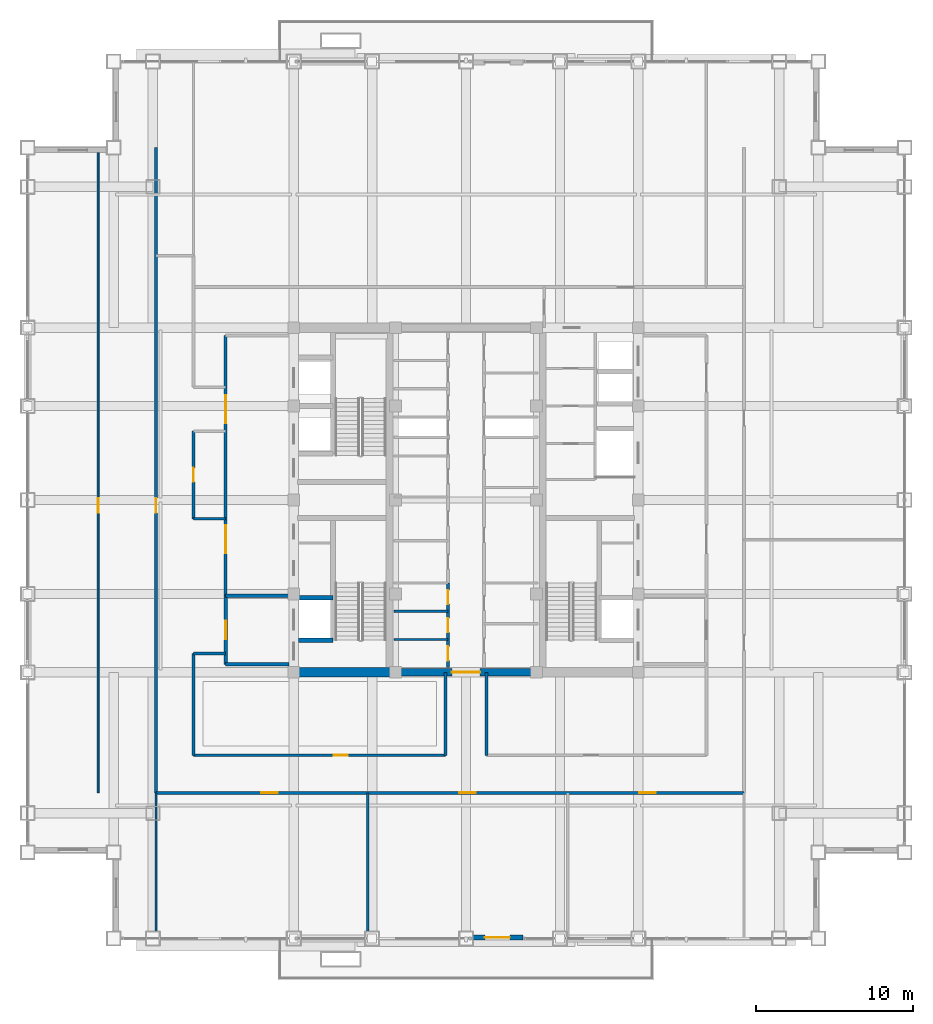
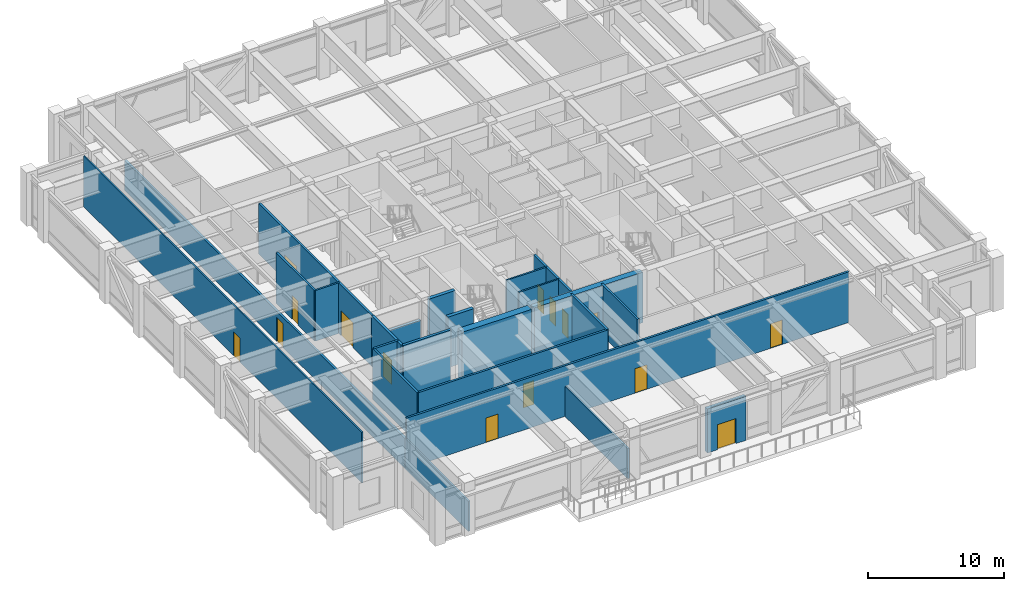
# One storey, part 22 of 31: 24 walls, 15 doors, 15 openings.
"""IFC4 building model written with IfcOpenShell, lengths in metres."""

from ifc_helpers import new_model, si_unit, direction, frame, frame_2d, origin, place, context, subcontext, project, spatial, rectangle, extrude, source, transform, mapped, material, layer, layer_set, type_object, element, fill, save


model = new_model("IFC4")

# Units and contexts
model_context = context("Model", 3, precision=1e-05, world=origin(), true_north=direction((0.0, 1.0)))
body_context = subcontext(model_context, "Body", "Model", "MODEL_VIEW")
ifc_project = project(units=[si_unit("LENGTHUNIT", "METRE"), si_unit("AREAUNIT", "SQUARE_METRE"), si_unit("VOLUMEUNIT", "CUBIC_METRE"), si_unit("PLANEANGLEUNIT", "RADIAN"), si_unit("MASSUNIT", "GRAM", prefix="KILO")], contexts=[model_context])

# Site, building, storey
site_placement = place(None, origin())
site = spatial("IfcSite", under=ifc_project, at=site_placement, CompositionType="ELEMENT")
building_placement = place(site_placement, origin())
building = spatial("IfcBuilding", under=site, at=building_placement, Name="Khorayat Bourse Tower", CompositionType="ELEMENT")
storey_placement = place(building_placement, frame((0.0, 0.0, 321.5)))
storey = spatial("IfcBuildingStorey", under=building, at=storey_placement, Name="L76", CompositionType="ELEMENT", Elevation=321.5)

# Wall
ifc_material_1 = material(Name="Concrete C60/75", Category="concrete")
ifc_layer_1 = layer(ifc_material_1, 0.60009765625)
ifc_layer_set_1 = layer_set([ifc_layer_1], Name="Concrete C60/75")
wall_type_1 = type_object("IfcWallType", Name="WAL-CORE-600", PredefinedType="SHEAR", material=ifc_layer_set_1)
shared_shape_1 = source(origin(), body_context, "Body", "SweptSolid", [
    extrude(rectangle(XDim=5.89990234375, YDim=0.60009765625, at=frame_2d((2.949951171875, 0.0))), origin(), (0.0, 0.0, 1.0), 4.5400390625),
])
wall_1_placement = place(storey_placement, frame((-10.75, -11.0, 0.0), z_axis=(0.0, 0.0, 1.0), x_axis=(1.0, 0.0, 0.0)))
element("IfcWall", 1, at=wall_1_placement, inside=storey, type_object=wall_type_1, Name="L76 Core Shear Wall PIER-WS", PredefinedType="SHEAR", context=body_context, shape_type="MappedRepresentation", body=[
    mapped(shared_shape_1, transform((0.0, 0.0, 0.0), scale=1.0)),
])

# Wall, opening, door
ifc_material_2 = material(Name="Concrete C52/65", Category="concrete")
ifc_layer_2 = layer(ifc_material_2, 0.5)
ifc_layer_set_2 = layer_set([ifc_layer_2], Name="Concrete C52/65")
wall_type_2 = type_object("IfcWallType", Name="WAL-CORE-500", PredefinedType="SHEAR", material=ifc_layer_set_2)
shared_shape_2 = source(origin(), body_context, "Body", "SweptSolid", [
    extrude(rectangle(XDim=9.2001953125, YDim=0.5, at=frame_2d((4.60009765625, 0.0))), origin(), (0.0, 0.0, 1.0), 4.5400390625),
])
wall_2_placement = place(storey_placement, frame((-4.60009765625, -11.0, 0.0), z_axis=(0.0, 0.0, 1.0), x_axis=(1.0, 0.0, 0.0)))
wall_2 = element("IfcWall", 2, at=wall_2_placement, inside=storey, type_object=wall_type_2, Name="L76 Core Shear Wall CORE-S", PredefinedType="SHEAR", context=body_context, shape_type="MappedRepresentation", body=[
    mapped(shared_shape_2, transform((0.0, 0.0, 0.0), scale=1.0)),
])
shared_shape_3 = source(origin(), body_context, "Body", "SweptSolid", [
    extrude(rectangle(XDim=1.800048828125, YDim=2.25, at=frame_2d((0.89990234375, 1.125))), frame((0.0, 0.260009765625, 0.0), z_axis=(0.0, -1.0, 0.0), x_axis=(1.0, 0.0, 0.0)), (0.0, 0.0, 1.0), 0.52001953125),
])
opening_1_placement = place(wall_2_placement, frame((3.699951171875, 0.0, 0.0)))
opening_1 = element("IfcOpeningElement", 3, at=opening_1_placement, cuts=wall_2, Name="Opening DI-03", PredefinedType="OPENING", context=body_context, shape_type="MappedRepresentation", body=[
    mapped(shared_shape_3, transform((0.0, 0.0, 0.0), scale=1.0)),
])
ifc_material_3 = material(Name="Fire-rated hardwood vision-panel double leaf", Category="wood")
door_type_1 = type_object("IfcDoorType", Name="DR-INT-CORR-1800", OperationType="NOTDEFINED", PredefinedType="DOOR", material=ifc_material_3)
shared_shape_4 = source(origin(), body_context, "Body", "SweptSolid", [
    extrude(rectangle(XDim=1.800048828125, YDim=2.25, at=frame_2d((0.89990234375, 1.125))), frame((0.0, 0.02490234375, 0.0), z_axis=(0.0, -1.0, 0.0), x_axis=(1.0, 0.0, 0.0)), (0.0, 0.0, 1.0), 0.050048828125),
])
door_1_placement = place(opening_1_placement, origin())
door_1 = element("IfcDoor", 4, at=door_1_placement, inside=storey, type_object=door_type_1, Name="L76 Central Core South Passage Door", OperationType="SINGLE_SWING_LEFT", OverallHeight=2.25, OverallWidth=1.800048828125, PredefinedType="DOOR", context=body_context, shape_type="MappedRepresentation", body=[
    mapped(shared_shape_4, transform((0.0, 0.0, 0.0), scale=1.0)),
])
fill(opening_1, door_1)

ifc_material_4 = material(Name="Precast concrete C45/55", Category="concrete")
ifc_layer_3 = layer(ifc_material_4, 0.320068359375)
ifc_layer_set_3 = layer_set([ifc_layer_3], Name="Precast concrete C45/55")
wall_type_3 = type_object("IfcWallType", Name="WAL-EXT-STONE-320", PredefinedType="STANDARD", material=ifc_layer_set_3)
shared_shape_5 = source(origin(), body_context, "Body", "SweptSolid", [
    extrude(rectangle(XDim=3.2998046875, YDim=0.320068359375, at=frame_2d((1.64990234375, 0.0))), origin(), (0.0, 0.0, 1.0), 3.950927734375),
])
wall_3_placement = place(storey_placement, frame((0.35009765625, -27.93310546875, 0.0), z_axis=(0.0, 0.0, 1.0), x_axis=(1.0, 0.0, 0.0)))
wall_3 = element("IfcWall", 5, at=wall_3_placement, inside=storey, type_object=wall_type_3, Name="L76 Exterior Limestone Wall WAL-L76-TDPORT-S1", PredefinedType="STANDARD", context=body_context, shape_type="MappedRepresentation", body=[
    mapped(shared_shape_5, transform((0.0, 0.0, 0.0), scale=1.0)),
])
shared_shape_6 = source(origin(), body_context, "Body", "SweptSolid", [
    extrude(rectangle(XDim=1.60009765625, YDim=2.25, at=frame_2d((0.800048828125, 1.125))), frame((0.0, 0.169921875, 0.0), z_axis=(0.0, -1.0, 0.0), x_axis=(1.0, 0.0, 0.0)), (0.0, 0.0, 1.0), 0.340087890625),
])
opening_2_placement = place(wall_3_placement, frame((0.85009765625, 0.0, 0.0)))
opening_2 = element("IfcOpeningElement", 6, at=opening_2_placement, cuts=wall_3, Name="Opening DE-04", PredefinedType="OPENING", context=body_context, shape_type="MappedRepresentation", body=[
    mapped(shared_shape_6, transform((0.0, 0.0, 0.0), scale=1.0)),
])
ifc_material_5 = material(Name="Thermally broken aluminium terrace double door", Category="aluminium")
door_type_2 = type_object("IfcDoorType", Name="DR-EXT-TERR-1600", OperationType="NOTDEFINED", PredefinedType="DOOR", material=ifc_material_5)
shared_shape_7 = source(origin(), body_context, "Body", "SweptSolid", [
    extrude(rectangle(XDim=1.60009765625, YDim=2.25, at=frame_2d((0.800048828125, 1.125))), frame((0.0, 0.02490234375, 0.0), z_axis=(0.0, -1.0, 0.0), x_axis=(1.0, 0.0, 0.0)), (0.0, 0.0, 1.0), 0.050048828125),
])
door_2_placement = place(opening_2_placement, origin())
door_2 = element("IfcDoor", 7, at=door_2_placement, inside=storey, type_object=door_type_2, Name="L76 South Sky Garden Door", OperationType="DOUBLE_DOOR_SINGLE_SWING", OverallHeight=2.25, OverallWidth=1.60009765625, PredefinedType="DOOR", context=body_context, shape_type="MappedRepresentation", body=[
    mapped(shared_shape_7, transform((0.0, 0.0, 0.0), scale=1.0)),
])
fill(opening_2, door_2)

# Walls
ifc_material_6 = material(Name="Concrete C50/60", Category="concrete")
ifc_layer_4 = layer(ifc_material_6, 0.300048828125)
ifc_layer_set_4 = layer_set([ifc_layer_4], Name="Concrete C50/60")
wall_type_4 = type_object("IfcWallType", Name="WAL-SHAFT-300", PredefinedType="SHEAR", material=ifc_layer_set_4)
shared_shape_8 = source(origin(), body_context, "Body", "SweptSolid", [
    extrude(rectangle(XDim=2.199951171875, YDim=0.300048828125, at=frame_2d((1.10009765625, 0.0))), origin(), (0.0, 0.0, 1.0), 4.5400390625),
])
for number, where, z_axis, x_axis, name in (
    (8, (-10.699951171875, -8.949951171875, 0.0), (0.0, 0.0, 1.0), (1.0, 0.0, 0.0), "L76 Partition WAL-L76-WPIER-FF1S"),
    (9, (-10.699951171875, -6.25, 0.0), (0.0, 0.0, 1.0), (1.0, 0.0, 0.0), "L76 Partition WAL-L76-WPIER-FF1N"),
):
    element("IfcWall", number, at=place(storey_placement, frame(where, z_axis=z_axis, x_axis=x_axis)), inside=storey, type_object=wall_type_4, Name=name, PredefinedType="SHEAR", context=body_context, shape_type="MappedRepresentation", body=[
        mapped(shared_shape_8, transform((0.0, 0.0, 0.0), scale=1.0)),
    ])
ifc_material_7 = material(Name="Aerated concrete blockwork", Category="masonry")
ifc_layer_5 = layer(ifc_material_7, 0.219970703125)
ifc_layer_set_5 = layer_set([ifc_layer_5], Name="Aerated concrete blockwork")
wall_type_5 = type_object("IfcWallType", Name="WAL-PART-FF-220", PredefinedType="PARTITIONING", material=ifc_layer_set_5)
shared_shape_9 = source(origin(), body_context, "Body", "SweptSolid", [
    extrude(rectangle(XDim=4.050048828125, YDim=0.219970703125, at=frame_2d((2.02490234375, 0.0))), origin(), (0.0, 0.0, 1.0), 4.5400390625),
])
wall_4_placement = place(storey_placement, frame((-15.35009765625, -10.5, 0.0), z_axis=(0.0, 0.0, 1.0), x_axis=(1.0, 0.0, 0.0)))
element("IfcWall", 10, at=wall_4_placement, inside=storey, type_object=wall_type_5, Name="L76 Partition WAL-L76-FFLW-S", PredefinedType="PARTITIONING", context=body_context, shape_type="MappedRepresentation", body=[
    mapped(shared_shape_9, transform((0.0, 0.0, 0.0), scale=1.0)),
])
shared_shape_10 = source(origin(), body_context, "Body", "SweptSolid", [
    extrude(rectangle(XDim=4.050048828125, YDim=0.219970703125, at=frame_2d((2.02490234375, 0.0))), origin(), (0.0, 0.0, 1.0), 2.739990234375),
])
wall_5_placement = place(storey_placement, frame((-15.35009765625, -6.10009765625, 0.0), z_axis=(0.0, 0.0, 1.0), x_axis=(1.0, 0.0, 0.0)))
element("IfcWall", 11, at=wall_5_placement, inside=storey, type_object=wall_type_5, Name="L76 Partition WAL-L76-FFLW-N", PredefinedType="PARTITIONING", context=body_context, shape_type="MappedRepresentation", body=[
    mapped(shared_shape_10, transform((0.0, 0.0, 0.0), scale=1.0)),
])

# Wall, opening, door
shared_shape_11 = source(origin(), body_context, "Body", "SweptSolid", [
    extrude(rectangle(XDim=4.39990234375, YDim=0.219970703125, at=frame_2d((2.199951171875, 0.0))), origin(), (0.0, 0.0, 1.0), 4.5400390625),
])
wall_6_placement = place(storey_placement, frame((-15.35009765625, -10.5, 0.0), z_axis=(0.0, 0.0, 1.0), x_axis=(0.0, 1.0, 0.0)))
wall_6 = element("IfcWall", 12, at=wall_6_placement, inside=storey, type_object=wall_type_5, Name="L76 Partition WAL-L76-FFLW-W", PredefinedType="PARTITIONING", context=body_context, shape_type="MappedRepresentation", body=[
    mapped(shared_shape_11, transform((0.0, 0.0, 0.0), scale=1.0)),
])
shared_shape_12 = source(origin(), body_context, "Body", "SweptSolid", [
    extrude(rectangle(XDim=1.199951171875, YDim=2.199951171875, at=frame_2d((0.60009765625, 1.10009765625))), frame((0.0, 0.119873046875, 0.0), z_axis=(0.0, -1.0, 0.0), x_axis=(1.0, 0.0, 0.0)), (0.0, 0.0, 1.0), 0.239990234375),
])
opening_3_placement = place(wall_6_placement, frame((1.60009765625, 0.0, 0.0)))
opening_3 = element("IfcOpeningElement", 13, at=opening_3_placement, cuts=wall_6, Name="Opening DI-02", PredefinedType="OPENING", context=body_context, shape_type="MappedRepresentation", body=[
    mapped(shared_shape_12, transform((0.0, 0.0, 0.0), scale=1.0)),
])
ifc_material_8 = material(Name="Fire-rated steel double-seal leaf", Category="steel")
door_type_3 = type_object("IfcDoorType", Name="DR-INT-FFLOBBY-1200", OperationType="NOTDEFINED", PredefinedType="DOOR", material=ifc_material_8)
shared_shape_13 = source(origin(), body_context, "Body", "SweptSolid", [
    extrude(rectangle(XDim=1.199951171875, YDim=2.199951171875, at=frame_2d((0.60009765625, 1.10009765625))), frame((0.0, 0.02490234375, 0.0), z_axis=(0.0, -1.0, 0.0), x_axis=(1.0, 0.0, 0.0)), (0.0, 0.0, 1.0), 0.050048828125),
])
door_3_placement = place(opening_3_placement, origin())
door_3 = element("IfcDoor", 14, at=door_3_placement, inside=storey, type_object=door_type_3, Name="L76 West Firefighting Lobby Door", OperationType="SINGLE_SWING_LEFT", OverallHeight=2.199951171875, OverallWidth=1.199951171875, PredefinedType="DOOR", context=body_context, shape_type="MappedRepresentation", body=[
    mapped(shared_shape_13, transform((0.0, 0.0, 0.0), scale=1.0)),
])
fill(opening_3, door_3)

# Wall, openings, doors
ifc_material_9 = material(Name="Gypsum plasterboard acoustic stud wall")
ifc_layer_6 = layer(ifc_material_9, 0.179931640625)
ifc_layer_set_6 = layer_set([ifc_layer_6], Name="Gypsum plasterboard acoustic stud wall")
wall_type_6 = type_object("IfcWallType", Name="WAL-PART-CORR-180", PredefinedType="PARTITIONING", material=ifc_layer_set_6)
shared_shape_14 = source(origin(), body_context, "Body", "SweptSolid", [
    extrude(rectangle(XDim=16.60009765625, YDim=0.179931640625, at=frame_2d((8.300048828125, 0.0))), origin(), (0.0, 0.0, 1.0), 4.5400390625),
])
wall_7_placement = place(storey_placement, frame((-15.35009765625, -6.10009765625, 0.0), z_axis=(0.0, 0.0, 1.0), x_axis=(0.0, 1.0, 0.0)))
wall_7 = element("IfcWall", 15, at=wall_7_placement, inside=storey, type_object=wall_type_6, Name="L76 Partition WAL-L76-WLOB-W", PredefinedType="PARTITIONING", context=body_context, shape_type="MappedRepresentation", body=[
    mapped(shared_shape_14, transform((0.0, 0.0, 0.0), scale=1.0)),
])
shared_shape_15 = source(origin(), body_context, "Body", "SweptSolid", [
    extrude(rectangle(XDim=1.800048828125, YDim=2.25, at=frame_2d((0.89990234375, 1.125))), frame((0.0, 0.099853515625, 0.0), z_axis=(0.0, -1.0, 0.0), x_axis=(1.0, 0.0, 0.0)), (0.0, 0.0, 1.0), 0.199951171875),
])
opening_4_placement = place(wall_7_placement, frame((2.699951171875, 0.0, 0.0)))
opening_4 = element("IfcOpeningElement", 16, at=opening_4_placement, cuts=wall_7, Name="Opening DI-03", PredefinedType="OPENING", context=body_context, shape_type="MappedRepresentation", body=[
    mapped(shared_shape_15, transform((0.0, 0.0, 0.0), scale=1.0)),
])
opening_5_placement = place(wall_7_placement, frame((11.0, 0.0, 0.0)))
opening_5 = element("IfcOpeningElement", 17, at=opening_5_placement, cuts=wall_7, Name="Opening DI-03", PredefinedType="OPENING", context=body_context, shape_type="MappedRepresentation", body=[
    mapped(shared_shape_15, transform((0.0, 0.0, 0.0), scale=1.0)),
])
door_4_placement = place(opening_4_placement, origin())
door_4 = element("IfcDoor", 18, at=door_4_placement, inside=storey, type_object=door_type_1, Name="L76 West Core Lobby South Door", OperationType="SINGLE_SWING_LEFT", OverallHeight=2.25, OverallWidth=1.800048828125, PredefinedType="DOOR", context=body_context, shape_type="MappedRepresentation", body=[
    mapped(shared_shape_4, transform((0.0, 0.0, 0.0), scale=1.0)),
])
fill(opening_4, door_4)
door_5_placement = place(opening_5_placement, origin())
door_5 = element("IfcDoor", 19, at=door_5_placement, inside=storey, type_object=door_type_1, Name="L76 West Core Lobby North Door", OperationType="SINGLE_SWING_RIGHT", OverallHeight=2.25, OverallWidth=1.800048828125, PredefinedType="DOOR", context=body_context, shape_type="MappedRepresentation", body=[
    mapped(shared_shape_4, transform((0.0, 0.0, 0.0), scale=1.0)),
])
fill(opening_5, door_5)

# Walls
ifc_material_10 = material(Name="Moisture-resistant masonry partition", Category="masonry")
ifc_layer_7 = layer(ifc_material_10, 0.139892578125)
ifc_layer_set_7 = layer_set([ifc_layer_7], Name="Moisture-resistant masonry partition")
wall_type_7 = type_object("IfcWallType", Name="WAL-PART-WET-140", PredefinedType="PARTITIONING", material=ifc_layer_set_7)
shared_shape_16 = source(origin(), body_context, "Body", "SweptSolid", [
    extrude(rectangle(XDim=3.4501953125, YDim=0.139892578125, at=frame_2d((1.72509765625, 0.0))), origin(), (0.0, 0.0, 1.0), 4.5400390625),
])
for number, where, z_axis, x_axis, name in (
    (20, (-4.60009765625, -8.89990234375, 0.0), (0.0, 0.0, 1.0), (1.0, 0.0, 0.0), "L76 Partition WAL-L76-FB1W-D1"),
    (21, (-4.60009765625, -7.10009765625, 0.0), (0.0, 0.0, 1.0), (1.0, 0.0, 0.0), "L76 Partition WAL-L76-FB1W-D2"),
):
    element("IfcWall", number, at=place(storey_placement, frame(where, z_axis=z_axis, x_axis=x_axis)), inside=storey, type_object=wall_type_7, Name=name, PredefinedType="PARTITIONING", context=body_context, shape_type="MappedRepresentation", body=[
        mapped(shared_shape_16, transform((0.0, 0.0, 0.0), scale=1.0)),
    ])

# Wall, openings, doors
shared_shape_17 = source(origin(), body_context, "Body", "SweptSolid", [
    extrude(rectangle(XDim=5.39990234375, YDim=0.179931640625, at=frame_2d((2.699951171875, 0.0))), origin(), (0.0, 0.0, 1.0), 4.5400390625),
])
wall_8_placement = place(storey_placement, frame((-1.14990234375, -10.699951171875, 0.0), z_axis=(0.0, 0.0, 1.0), x_axis=(0.0, 1.0, 0.0)))
wall_8 = element("IfcWall", 22, at=wall_8_placement, inside=storey, type_object=wall_type_6, Name="L76 Partition WAL-L76-FB1W-L", PredefinedType="PARTITIONING", context=body_context, shape_type="MappedRepresentation", body=[
    mapped(shared_shape_17, transform((0.0, 0.0, 0.0), scale=1.0)),
])
shared_shape_18 = source(origin(), body_context, "Body", "SweptSolid", [
    extrude(rectangle(XDim=0.89990234375, YDim=2.14990234375, at=frame_2d((0.449951171875, 1.074951171875))), frame((0.0, 0.099853515625, 0.0), z_axis=(0.0, -1.0, 0.0), x_axis=(1.0, 0.0, 0.0)), (0.0, 0.0, 1.0), 0.199951171875),
])
opening_6_placement = place(wall_8_placement, frame((0.449951171875, 0.0, 0.0)))
opening_6 = element("IfcOpeningElement", 23, at=opening_6_placement, cuts=wall_8, Name="Opening DI-06", PredefinedType="OPENING", context=body_context, shape_type="MappedRepresentation", body=[
    mapped(shared_shape_18, transform((0.0, 0.0, 0.0), scale=1.0)),
])
opening_7_placement = place(wall_8_placement, frame((2.25, 0.0, 0.0)))
opening_7 = element("IfcOpeningElement", 24, at=opening_7_placement, cuts=wall_8, Name="Opening DI-06", PredefinedType="OPENING", context=body_context, shape_type="MappedRepresentation", body=[
    mapped(shared_shape_18, transform((0.0, 0.0, 0.0), scale=1.0)),
])
opening_8_placement = place(wall_8_placement, frame((4.050048828125, 0.0, 0.0)))
opening_8 = element("IfcOpeningElement", 25, at=opening_8_placement, cuts=wall_8, Name="Opening DI-06", PredefinedType="OPENING", context=body_context, shape_type="MappedRepresentation", body=[
    mapped(shared_shape_18, transform((0.0, 0.0, 0.0), scale=1.0)),
])
ifc_material_11 = material(Name="Moisture-resistant laminate washroom door")
door_type_4 = type_object("IfcDoorType", Name="DR-INT-WC-900", OperationType="NOTDEFINED", PredefinedType="DOOR", material=ifc_material_11)
shared_shape_19 = source(origin(), body_context, "Body", "SweptSolid", [
    extrude(rectangle(XDim=0.89990234375, YDim=2.14990234375, at=frame_2d((0.449951171875, 1.074951171875))), frame((0.0, 0.02490234375, 0.0), z_axis=(0.0, -1.0, 0.0), x_axis=(1.0, 0.0, 0.0)), (0.0, 0.0, 1.0), 0.050048828125),
])
door_6_placement = place(opening_6_placement, origin())
door_6 = element("IfcDoor", 26, at=door_6_placement, inside=storey, type_object=door_type_4, Name="L76 Archive Store A Door", OperationType="SINGLE_SWING_RIGHT", OverallHeight=2.14990234375, OverallWidth=0.89990234375, PredefinedType="DOOR", context=body_context, shape_type="MappedRepresentation", body=[
    mapped(shared_shape_19, transform((0.0, 0.0, 0.0), scale=1.0)),
])
fill(opening_6, door_6)
door_7_placement = place(opening_7_placement, origin())
door_7 = element("IfcDoor", 27, at=door_7_placement, inside=storey, type_object=door_type_4, Name="L76 Patch Comms Room Door", OperationType="SINGLE_SWING_LEFT", OverallHeight=2.14990234375, OverallWidth=0.89990234375, PredefinedType="DOOR", context=body_context, shape_type="MappedRepresentation", body=[
    mapped(shared_shape_19, transform((0.0, 0.0, 0.0), scale=1.0)),
])
fill(opening_7, door_7)
door_8_placement = place(opening_8_placement, origin())
door_8 = element("IfcDoor", 28, at=door_8_placement, inside=storey, type_object=door_type_4, Name="L76 Archive Store B Door", OperationType="SINGLE_SWING_RIGHT", OverallHeight=2.14990234375, OverallWidth=0.89990234375, PredefinedType="DOOR", context=body_context, shape_type="MappedRepresentation", body=[
    mapped(shared_shape_19, transform((0.0, 0.0, 0.0), scale=1.0)),
])
fill(opening_8, door_8)

# Wall, opening, door
shared_shape_20 = source(origin(), body_context, "Body", "SweptSolid", [
    extrude(rectangle(XDim=5.599853515625, YDim=0.179931640625, at=frame_2d((2.7998046875, 0.0))), origin(), (0.0, 0.0, 1.0), 4.5400390625),
])
wall_9_placement = place(storey_placement, frame((-17.39990234375, -1.199951171875, 0.0), z_axis=(0.0, 0.0, 1.0), x_axis=(0.0, 1.0, 0.0)))
wall_9 = element("IfcWall", 29, at=wall_9_placement, inside=storey, type_object=wall_type_6, Name="L76 Partition WAL-L76-PKWM-W", PredefinedType="PARTITIONING", context=body_context, shape_type="MappedRepresentation", body=[
    mapped(shared_shape_20, transform((0.0, 0.0, 0.0), scale=1.0)),
])
opening_9_placement = place(wall_9_placement, frame((2.35009765625, 0.0, 0.0)))
opening_9 = element("IfcOpeningElement", 30, at=opening_9_placement, cuts=wall_9, Name="Opening DI-06", PredefinedType="OPENING", context=body_context, shape_type="MappedRepresentation", body=[
    mapped(shared_shape_18, transform((0.0, 0.0, 0.0), scale=1.0)),
])
door_9_placement = place(opening_9_placement, origin())
door_9 = element("IfcDoor", 31, at=door_9_placement, inside=storey, type_object=door_type_4, Name="L76 West Inboard Focus Door", OperationType="SINGLE_SWING_LEFT", OverallHeight=2.14990234375, OverallWidth=0.89990234375, PredefinedType="DOOR", context=body_context, shape_type="MappedRepresentation", body=[
    mapped(shared_shape_19, transform((0.0, 0.0, 0.0), scale=1.0)),
])
fill(opening_9, door_9)

# Walls
ifc_material_12 = material(Name="Gypsum plasterboard twin-frame partition")
ifc_layer_8 = layer(ifc_material_12, 0.14990234375)
ifc_layer_set_8 = layer_set([ifc_layer_8], Name="Gypsum plasterboard twin-frame partition")
wall_type_8 = type_object("IfcWallType", Name="WAL-PART-SUITE-150", PredefinedType="PARTITIONING", material=ifc_layer_set_8)
shared_shape_21 = source(origin(), body_context, "Body", "SweptSolid", [
    extrude(rectangle(XDim=2.0498046875, YDim=0.14990234375, at=frame_2d((1.02490234375, 0.0))), origin(), (0.0, 0.0, 1.0), 4.5400390625),
])
wall_10_placement = place(storey_placement, frame((-17.39990234375, -1.199951171875, 0.0), z_axis=(0.0, 0.0, 1.0), x_axis=(1.0, 0.0, 0.0)))
element("IfcWall", 32, at=wall_10_placement, inside=storey, type_object=wall_type_8, Name="L76 Partition WAL-L76-PKWM-S", PredefinedType="PARTITIONING", context=body_context, shape_type="MappedRepresentation", body=[
    mapped(shared_shape_21, transform((0.0, 0.0, 0.0), scale=1.0)),
])
shared_shape_22 = source(origin(), body_context, "Body", "SweptSolid", [
    extrude(rectangle(XDim=2.0498046875, YDim=0.179931640625, at=frame_2d((1.02490234375, 0.0))), origin(), (0.0, 0.0, 1.0), 4.5400390625),
])
wall_11_placement = place(storey_placement, frame((-17.39990234375, -9.800048828125, 0.0), z_axis=(0.0, 0.0, 1.0), x_axis=(1.0, 0.0, 0.0)))
element("IfcWall", 33, at=wall_11_placement, inside=storey, type_object=wall_type_6, Name="L76 Partition WAL-L76-THRW-S", PredefinedType="PARTITIONING", context=body_context, shape_type="MappedRepresentation", body=[
    mapped(shared_shape_22, transform((0.0, 0.0, 0.0), scale=1.0)),
])

# Wall, opening, door
shared_shape_23 = source(origin(), body_context, "Body", "SweptSolid", [
    extrude(rectangle(XDim=16.099853515625, YDim=0.179931640625, at=frame_2d((8.0498046875, 0.0))), origin(), (0.0, 0.0, 1.0), 4.5400390625),
])
wall_12_placement = place(storey_placement, frame((-17.39990234375, -16.300048828125, 0.0), z_axis=(0.0, 0.0, 1.0), x_axis=(1.0, 0.0, 0.0)))
wall_12 = element("IfcWall", 34, at=wall_12_placement, inside=storey, type_object=wall_type_6, Name="L76 Partition WAL-L76-PKSW-S", PredefinedType="PARTITIONING", context=body_context, shape_type="MappedRepresentation", body=[
    mapped(shared_shape_23, transform((0.0, 0.0, 0.0), scale=1.0)),
])
opening_10_placement = place(wall_12_placement, frame((8.949951171875, 0.0, 0.0)))
opening_10 = element("IfcOpeningElement", 35, at=opening_10_placement, cuts=wall_12, Name="Opening DI-06", PredefinedType="OPENING", context=body_context, shape_type="MappedRepresentation", body=[
    mapped(shared_shape_18, transform((0.0, 0.0, 0.0), scale=1.0)),
])
door_10_placement = place(opening_10_placement, origin())
door_10 = element("IfcDoor", 36, at=door_10_placement, inside=storey, type_object=door_type_4, Name="L76 SW Inboard Pantry Door", OperationType="SINGLE_SWING_LEFT", OverallHeight=2.14990234375, OverallWidth=0.89990234375, PredefinedType="DOOR", context=body_context, shape_type="MappedRepresentation", body=[
    mapped(shared_shape_19, transform((0.0, 0.0, 0.0), scale=1.0)),
])
fill(opening_10, door_10)

# Walls
shared_shape_24 = source(origin(), body_context, "Body", "SweptSolid", [
    extrude(rectangle(XDim=6.5, YDim=0.179931640625, at=frame_2d((3.25, 0.0))), origin(), (0.0, 0.0, 1.0), 4.5400390625),
])
wall_13_placement = place(storey_placement, frame((-17.39990234375, -16.300048828125, 0.0), z_axis=(0.0, 0.0, 1.0), x_axis=(0.0, 1.0, 0.0)))
element("IfcWall", 37, at=wall_13_placement, inside=storey, type_object=wall_type_6, Name="L76 Partition WAL-L76-PKSW-W", PredefinedType="PARTITIONING", context=body_context, shape_type="MappedRepresentation", body=[
    mapped(shared_shape_24, transform((0.0, 0.0, 0.0), scale=1.0)),
])
shared_shape_25 = source(origin(), body_context, "Body", "SweptSolid", [
    extrude(rectangle(XDim=5.300048828125, YDim=0.179931640625, at=frame_2d((2.64990234375, 0.0))), origin(), (0.0, 0.0, 1.0), 4.5400390625),
])
for number, where, z_axis, x_axis, name in (
    (38, (-1.300048828125, -16.300048828125, 0.0), (0.0, 0.0, 1.0), (0.0, 1.0, 0.0), "L76 Partition WAL-L76-PKSW-E"),
    (39, (1.300048828125, -16.300048828125, 0.0), (0.0, 0.0, 1.0), (0.0, 1.0, 0.0), "L76 Partition WAL-L76-PKSE-W"),
):
    element("IfcWall", number, at=place(storey_placement, frame(where, z_axis=z_axis, x_axis=x_axis)), inside=storey, type_object=wall_type_6, Name=name, PredefinedType="PARTITIONING", context=body_context, shape_type="MappedRepresentation", body=[
        mapped(shared_shape_25, transform((0.0, 0.0, 0.0), scale=1.0)),
    ])
shared_shape_26 = source(origin(), body_context, "Body", "SweptSolid", [
    extrude(rectangle(XDim=9.300048828125, YDim=0.14990234375, at=frame_2d((4.64990234375, 0.0))), origin(), (0.0, 0.0, 1.0), 2.699951171875),
])
for number, where, z_axis, x_axis, name in (
    (40, (-6.281982421875, -28.0, 0.0), (0.0, 0.0, 1.0), (0.0, 1.0, 0.0), "L76 Partition WAL-L76-SDV-1"),
    (41, (-19.800048828125, -28.0, 0.0), (0.0, 0.0, 1.0), (0.0, 1.0, 0.0), "L76 Partition WAL-L76-SCW-END"),
):
    element("IfcWall", number, at=place(storey_placement, frame(where, z_axis=z_axis, x_axis=x_axis)), inside=storey, type_object=wall_type_8, Name=name, PredefinedType="PARTITIONING", context=body_context, shape_type="MappedRepresentation", body=[
        mapped(shared_shape_26, transform((0.0, 0.0, 0.0), scale=1.0)),
    ])

# Wall, openings, doors
shared_shape_27 = source(origin(), body_context, "Body", "SweptSolid", [
    extrude(rectangle(XDim=37.550048828125, YDim=0.179931640625, at=frame_2d((18.77490234375, 0.0))), origin(), (0.0, 0.0, 1.0), 4.5400390625),
])
wall_14_placement = place(storey_placement, frame((-19.800048828125, -18.699951171875, 0.0), z_axis=(0.0, 0.0, 1.0), x_axis=(1.0, 0.0, 0.0)))
wall_14 = element("IfcWall", 42, at=wall_14_placement, inside=storey, type_object=wall_type_6, Name="L76 Partition WAL-L76-SCORR", PredefinedType="PARTITIONING", context=body_context, shape_type="MappedRepresentation", body=[
    mapped(shared_shape_27, transform((0.0, 0.0, 0.0), scale=1.0)),
])
shared_shape_28 = source(origin(), body_context, "Body", "SweptSolid", [
    extrude(rectangle(XDim=1.050048828125, YDim=2.199951171875, at=frame_2d((0.52490234375, 1.10009765625))), frame((0.0, 0.099853515625, 0.0), z_axis=(0.0, -1.0, 0.0), x_axis=(1.0, 0.0, 0.0)), (0.0, 0.0, 1.0), 0.199951171875),
])
opening_11_placement = place(wall_14_placement, frame((6.73388671875, 0.0, 0.0)))
opening_11 = element("IfcOpeningElement", 43, at=opening_11_placement, cuts=wall_14, Name="Opening DI-04", PredefinedType="OPENING", context=body_context, shape_type="MappedRepresentation", body=[
    mapped(shared_shape_28, transform((0.0, 0.0, 0.0), scale=1.0)),
])
opening_12_placement = place(wall_14_placement, frame((19.37646484375, 0.0, 0.0)))
opening_12 = element("IfcOpeningElement", 44, at=opening_12_placement, cuts=wall_14, Name="Opening DI-04", PredefinedType="OPENING", context=body_context, shape_type="MappedRepresentation", body=[
    mapped(shared_shape_28, transform((0.0, 0.0, 0.0), scale=1.0)),
])
opening_13_placement = place(wall_14_placement, frame((30.867431640625, 0.0, 0.0)))
opening_13 = element("IfcOpeningElement", 45, at=opening_13_placement, cuts=wall_14, Name="Opening DI-04", PredefinedType="OPENING", context=body_context, shape_type="MappedRepresentation", body=[
    mapped(shared_shape_28, transform((0.0, 0.0, 0.0), scale=1.0)),
])
ifc_material_13 = material(Name="Fire-rated oak veneer suite entrance door")
door_type_5 = type_object("IfcDoorType", Name="DR-INT-SUITE-1050", OperationType="NOTDEFINED", PredefinedType="DOOR", material=ifc_material_13)
shared_shape_29 = source(origin(), body_context, "Body", "SweptSolid", [
    extrude(rectangle(XDim=1.050048828125, YDim=2.199951171875, at=frame_2d((0.52490234375, 1.10009765625))), frame((0.0, 0.02490234375, 0.0), z_axis=(0.0, -1.0, 0.0), x_axis=(1.0, 0.0, 0.0)), (0.0, 0.0, 1.0), 0.050048828125),
])
door_11_placement = place(opening_11_placement, origin())
door_11 = element("IfcDoor", 46, at=door_11_placement, inside=storey, type_object=door_type_5, Name="L76 South Sky Terrace Lounge S1 Door", OperationType="SINGLE_SWING_RIGHT", OverallHeight=2.199951171875, OverallWidth=1.050048828125, PredefinedType="DOOR", context=body_context, shape_type="MappedRepresentation", body=[
    mapped(shared_shape_29, transform((0.0, 0.0, 0.0), scale=1.0)),
])
fill(opening_11, door_11)
door_12_placement = place(opening_12_placement, origin())
door_12 = element("IfcDoor", 47, at=door_12_placement, inside=storey, type_object=door_type_5, Name="L76 Members Dining Room S2 Door", OperationType="SINGLE_SWING_LEFT", OverallHeight=2.199951171875, OverallWidth=1.050048828125, PredefinedType="DOOR", context=body_context, shape_type="MappedRepresentation", body=[
    mapped(shared_shape_29, transform((0.0, 0.0, 0.0), scale=1.0)),
])
fill(opening_12, door_12)
door_13_placement = place(opening_13_placement, origin())
door_13 = element("IfcDoor", 48, at=door_13_placement, inside=storey, type_object=door_type_5, Name="L76 Members Club Room S3 Door", OperationType="SINGLE_SWING_RIGHT", OverallHeight=2.199951171875, OverallWidth=1.050048828125, PredefinedType="DOOR", context=body_context, shape_type="MappedRepresentation", body=[
    mapped(shared_shape_29, transform((0.0, 0.0, 0.0), scale=1.0)),
])
fill(opening_13, door_13)

# Wall, opening, door
ifc_material_14 = material(Name="Gypsum plasterboard partition")
ifc_layer_9 = layer(ifc_material_14, 0.125)
ifc_layer_set_9 = layer_set([ifc_layer_9], Name="Gypsum plasterboard partition")
wall_type_9 = type_object("IfcWallType", Name="WAL-PART-ROOM-125", PredefinedType="PARTITIONING", material=ifc_layer_set_9)
shared_shape_30 = source(origin(), body_context, "Body", "SweptSolid", [
    extrude(rectangle(XDim=40.89990234375, YDim=0.125, at=frame_2d((20.449951171875, 0.0))), origin(), (0.0, 0.0, 1.0), 4.5400390625),
])
wall_15_placement = place(storey_placement, frame((-23.489990234375, -18.699951171875, 0.0), z_axis=(0.0, 0.0, 1.0), x_axis=(0.0, 1.0, 0.0)))
wall_15 = element("IfcWall", 49, at=wall_15_placement, inside=storey, type_object=wall_type_9, Name="L76 Partition WAL-L76-WDP-1", PredefinedType="PARTITIONING", context=body_context, shape_type="MappedRepresentation", body=[
    mapped(shared_shape_30, transform((0.0, 0.0, 0.0), scale=1.0)),
])
shared_shape_31 = source(origin(), body_context, "Body", "SweptSolid", [
    extrude(rectangle(XDim=0.949951171875, YDim=2.14990234375, at=frame_2d((0.47509765625, 1.074951171875))), frame((0.0, 0.072509765625, 0.0), z_axis=(0.0, -1.0, 0.0), x_axis=(1.0, 0.0, 0.0)), (0.0, 0.0, 1.0), 0.14501953125),
])
opening_14_placement = place(wall_15_placement, frame((17.875, 0.0, 0.0)))
opening_14 = element("IfcOpeningElement", 50, at=opening_14_placement, cuts=wall_15, Name="Opening DI-05", PredefinedType="OPENING", context=body_context, shape_type="MappedRepresentation", body=[
    mapped(shared_shape_31, transform((0.0, 0.0, 0.0), scale=1.0)),
])
ifc_material_15 = material(Name="Acoustic oak veneer office door")
door_type_6 = type_object("IfcDoorType", Name="DR-INT-OFFICE-950", OperationType="NOTDEFINED", PredefinedType="DOOR", material=ifc_material_15)
shared_shape_32 = source(origin(), body_context, "Body", "SweptSolid", [
    extrude(rectangle(XDim=0.949951171875, YDim=2.14990234375, at=frame_2d((0.47509765625, 1.074951171875))), frame((0.0, 0.02490234375, 0.0), z_axis=(0.0, -1.0, 0.0), x_axis=(1.0, 0.0, 0.0)), (0.0, 0.0, 1.0), 0.050048828125),
])
door_14_placement = place(opening_14_placement, origin())
door_14 = element("IfcDoor", 51, at=door_14_placement, inside=storey, type_object=door_type_6, Name="L76 Issuer Listing Showroom W1B Door", OperationType="SINGLE_SWING_RIGHT", OverallHeight=2.14990234375, OverallWidth=0.949951171875, PredefinedType="DOOR", context=body_context, shape_type="MappedRepresentation", body=[
    mapped(shared_shape_32, transform((0.0, 0.0, 0.0), scale=1.0)),
])
fill(opening_14, door_14)

shared_shape_33 = source(origin(), body_context, "Body", "SweptSolid", [
    extrude(rectangle(XDim=41.199951171875, YDim=0.179931640625, at=frame_2d((20.60009765625, 0.0))), origin(), (0.0, 0.0, 1.0), 2.699951171875),
])
wall_16_placement = place(storey_placement, frame((-19.800048828125, -18.699951171875, 0.0), z_axis=(0.0, 0.0, 1.0), x_axis=(0.0, 1.0, 0.0)))
wall_16 = element("IfcWall", 52, at=wall_16_placement, inside=storey, type_object=wall_type_6, Name="L76 Partition WAL-L76-WCORR", PredefinedType="PARTITIONING", context=body_context, shape_type="MappedRepresentation", body=[
    mapped(shared_shape_33, transform((0.0, 0.0, 0.0), scale=1.0)),
])
shared_shape_34 = source(origin(), body_context, "Body", "SweptSolid", [
    extrude(rectangle(XDim=0.949951171875, YDim=2.14990234375, at=frame_2d((0.47509765625, 1.074951171875))), frame((0.0, 0.099853515625, 0.0), z_axis=(0.0, -1.0, 0.0), x_axis=(1.0, 0.0, 0.0)), (0.0, 0.0, 1.0), 0.199951171875),
])
opening_15_placement = place(wall_16_placement, frame((17.875, 0.0, 0.0)))
opening_15 = element("IfcOpeningElement", 53, at=opening_15_placement, cuts=wall_16, Name="Opening DI-05", PredefinedType="OPENING", context=body_context, shape_type="MappedRepresentation", body=[
    mapped(shared_shape_34, transform((0.0, 0.0, 0.0), scale=1.0)),
])
door_15_placement = place(opening_15_placement, origin())
door_15 = element("IfcDoor", 54, at=door_15_placement, inside=storey, type_object=door_type_6, Name="L76 Floor Reception Concierge W1 Door", OperationType="SINGLE_SWING_RIGHT", OverallHeight=2.14990234375, OverallWidth=0.949951171875, PredefinedType="DOOR", context=body_context, shape_type="MappedRepresentation", body=[
    mapped(shared_shape_32, transform((0.0, 0.0, 0.0), scale=1.0)),
])
fill(opening_15, door_15)

save(model, "model.ifc")
